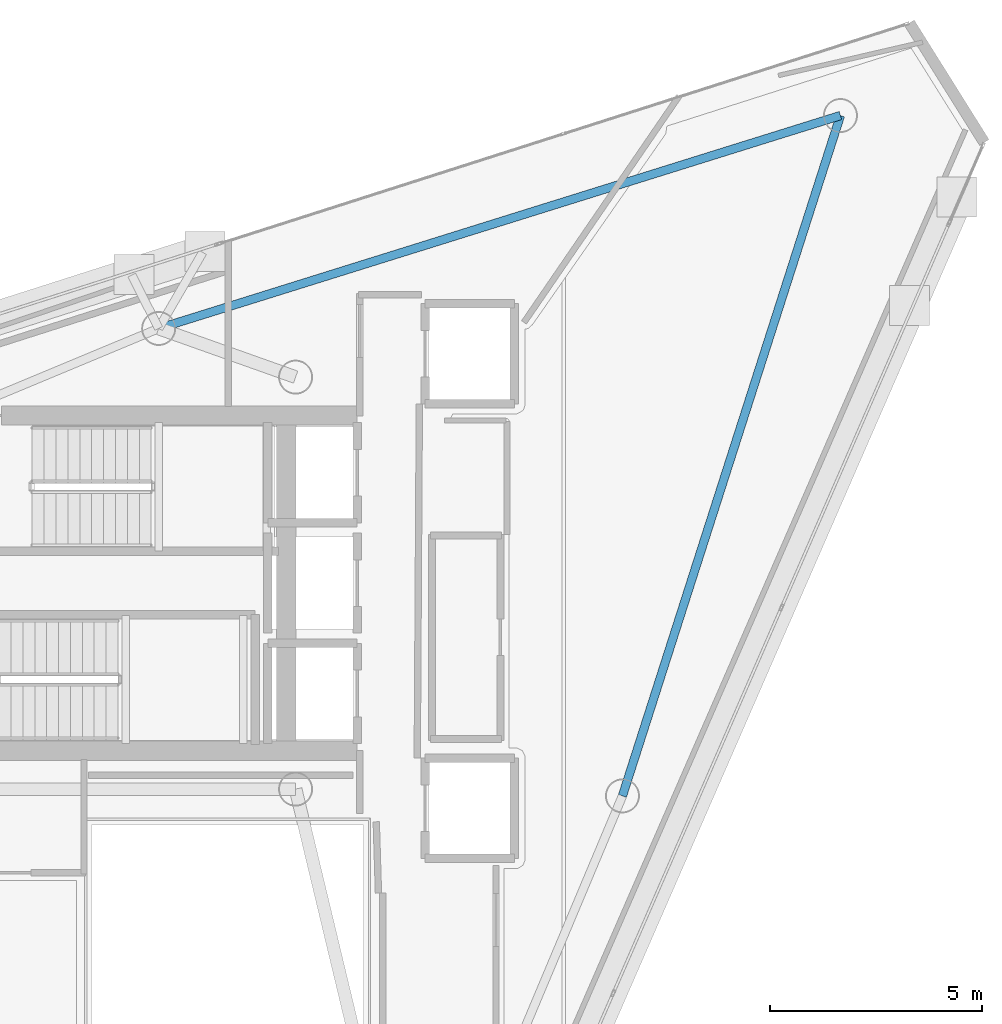
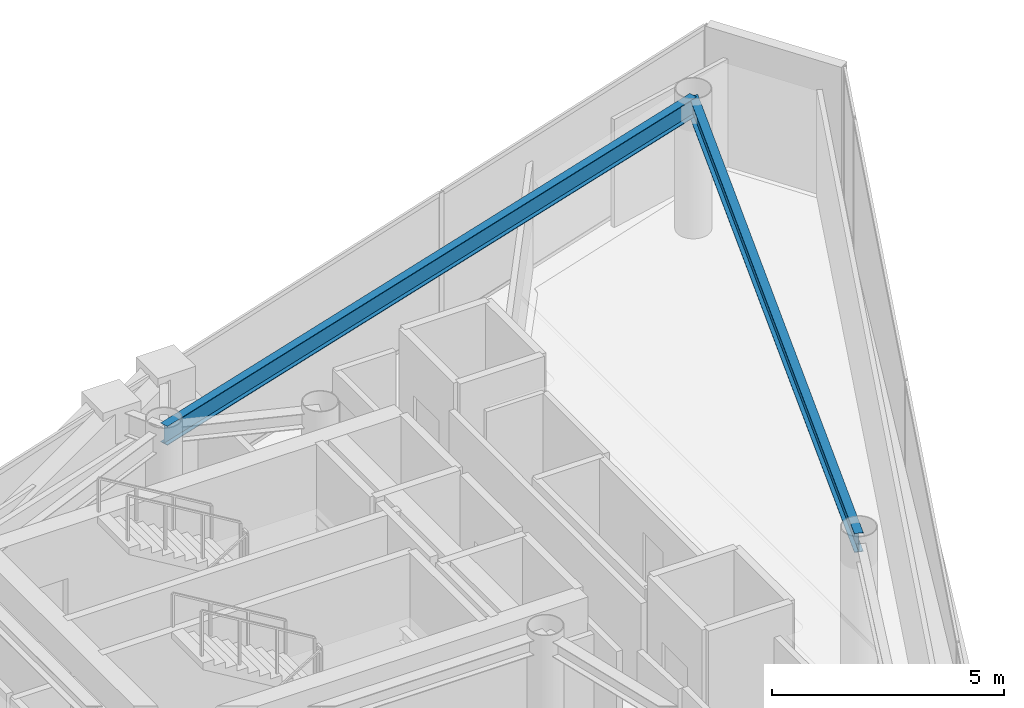
# One storey, part 12 of 19: 2 beams.
"""IFC4 building model written with IfcOpenShell, lengths in metres."""

from ifc_helpers import new_model, si_unit, direction, frame, origin, origin_2d, place, context, subcontext, project, spatial, i_section, extrude, material, material_profile, profile_set, type_object, element, save


model = new_model("IFC4")

# Units and contexts
model_context = context("Model", 3, precision=1e-05, world=origin(), true_north=direction((0.0, 1.0)))
body_context = subcontext(model_context, "Body", "Model", "MODEL_VIEW")
ifc_project = project(units=[si_unit("LENGTHUNIT", "METRE"), si_unit("AREAUNIT", "SQUARE_METRE"), si_unit("VOLUMEUNIT", "CUBIC_METRE"), si_unit("PLANEANGLEUNIT", "RADIAN"), si_unit("MASSUNIT", "GRAM", prefix="KILO")], contexts=[model_context])

# Site, building, storey
site_placement = place(None, origin())
site = spatial("IfcSite", under=ifc_project, at=site_placement, CompositionType="ELEMENT")
building_placement = place(site_placement, origin())
building = spatial("IfcBuilding", under=site, at=building_placement, Name="Qianvela Tower", CompositionType="ELEMENT")
storey_placement = place(building_placement, frame((0.0, 0.0, 329.60009765625)))
storey = spatial("IfcBuildingStorey", under=building, at=storey_placement, Name="L85", CompositionType="ELEMENT", Elevation=329.60009765625)

# Beams
ifc_material = material(Name="Steel Q355B", Category="steel")
ifc_material_profile = material_profile(ifc_material, i_section(OverallWidth=0.199951171875, OverallDepth=0.5, WebThickness=0.010009765625, FlangeThickness=0.01611328125, at=origin_2d()), Name="HN500x200x10x16")
ifc_profile_set = profile_set([ifc_material_profile], Name="Steel Q355B")
beam_type = type_object("IfcBeamType", Name="BM-HN500-GIRD", PredefinedType="BEAM", material=ifc_profile_set)
beam_1_placement = place(storey_placement, frame((51.22705078125, 39.7080078125, 3.267822265625), z_axis=(-0.954525695456, -0.298128657988, 0.0), x_axis=(0.298128657988, -0.954525695456, 0.0)))
element("IfcBeam", 1, at=beam_1_placement, inside=storey, type_object=beam_type, Name="L85 Perimeter Ring Spandrel Girder 1", PredefinedType="BEAM", context=body_context, shape_type="SweptSolid", body=[
    extrude(i_section(OverallWidth=0.199951171875, OverallDepth=0.5, WebThickness=0.010009765625, FlangeThickness=0.01611328125, at=origin_2d()), origin(), (0.0, 0.0, 1.0), 16.814697265625),
])
beam_2_placement = place(storey_placement, frame((46.094970703125, 23.69091796875, 3.267822265625), z_axis=(0.305132275277, 0.952309978203, 0.0), x_axis=(-0.952309978203, 0.305132275277, 0.0)))
element("IfcBeam", 2, at=beam_2_placement, inside=storey, type_object=beam_type, Name="L85 Perimeter Ring Spandrel Girder 6", PredefinedType="BEAM", context=body_context, shape_type="SweptSolid", body=[
    extrude(i_section(OverallWidth=0.199951171875, OverallDepth=0.5, WebThickness=0.010009765625, FlangeThickness=0.01611328125, at=origin_2d()), origin(), (0.0, 0.0, 1.0), 16.819091796875),
])

save(model, "model.ifc")
